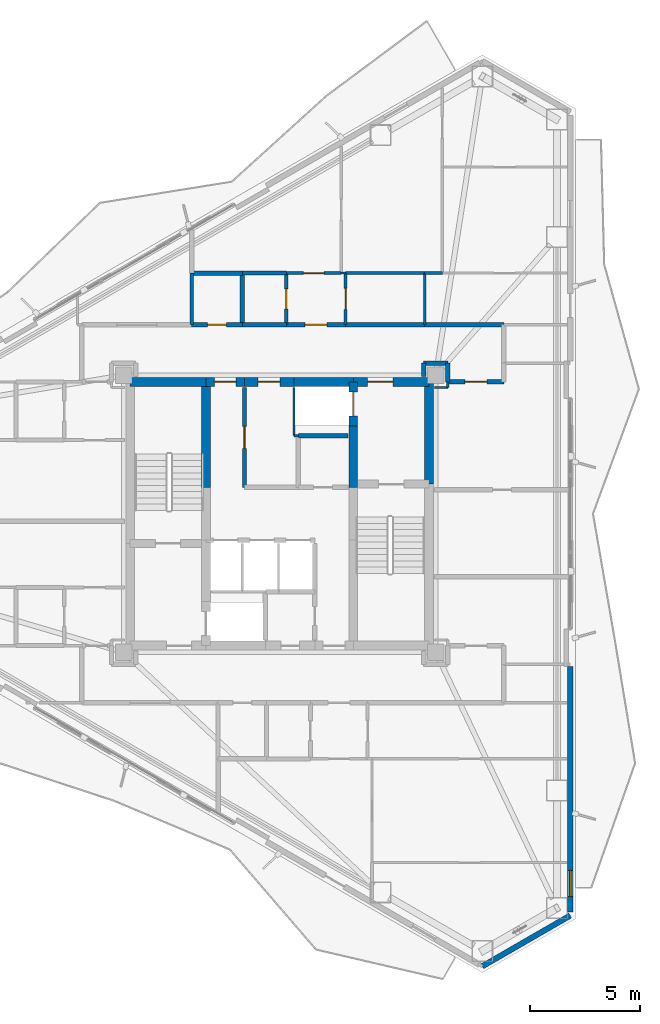
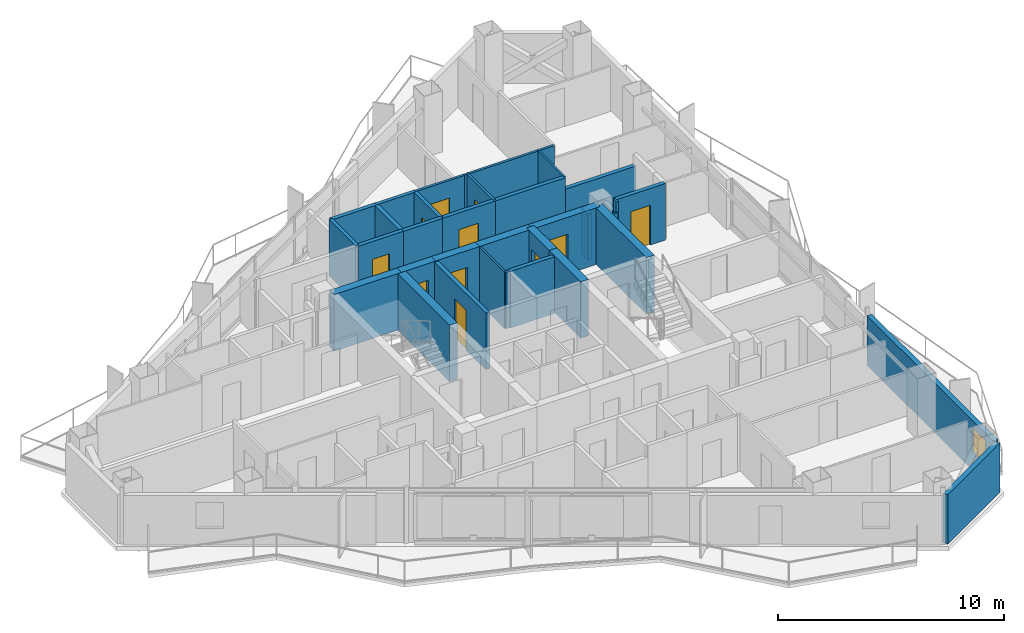
# One storey, part 15 of 19: 37 walls, 11 doors, 1 window, 12 openings.
"""IFC4 building model written with IfcOpenShell, lengths in metres."""

from ifc_helpers import new_model, si_unit, direction, frame, frame_2d, origin, place, context, subcontext, project, spatial, rectangle, extrude, material, layer, layer_set, type_object, element, fill, save


model = new_model("IFC4")

# Units and contexts
model_context = context("Model", 3, precision=1e-05, world=origin(), true_north=direction((0.0, 1.0)))
body_context = subcontext(model_context, "Body", "Model", "MODEL_VIEW")
ifc_project = project(units=[si_unit("LENGTHUNIT", "METRE"), si_unit("AREAUNIT", "SQUARE_METRE"), si_unit("VOLUMEUNIT", "CUBIC_METRE"), si_unit("PLANEANGLEUNIT", "RADIAN"), si_unit("MASSUNIT", "GRAM", prefix="KILO")], contexts=[model_context])

# Site, building, storey
site_placement = place(None, origin())
site = spatial("IfcSite", under=ifc_project, at=site_placement, CompositionType="ELEMENT")
building_placement = place(site_placement, origin())
building = spatial("IfcBuilding", under=site, at=building_placement, Name="Mersakhor Tower and Convention Hall", CompositionType="ELEMENT")
storey_placement = place(building_placement, frame((0.0, 0.0, 124.5)))
storey = spatial("IfcBuildingStorey", under=building, at=storey_placement, Name="L34", CompositionType="ELEMENT", Elevation=124.5)

# Wall
ifc_material_1 = material(Name="Precast concrete C40/50", Category="concrete")
ifc_layer_1 = layer(ifc_material_1, 0.25)
ifc_layer_set_1 = layer_set([ifc_layer_1], Name="Precast concrete C40/50")
wall_type_1 = type_object("IfcWallType", Name="WL-EXT-250", PredefinedType="SOLIDWALL", material=ifc_layer_set_1)
wall_1_placement = place(storey_placement, frame((42.21923828125, 8.470947265625, 0.0), z_axis=(0.0, 0.0, 1.0), x_axis=(-0.866035021055, -0.499983342029, 0.0)))
element("IfcWall", 1, at=wall_1_placement, inside=storey, type_object=wall_type_1, Name="L34 Chamfer Braced Spandrel Wall C2", PredefinedType="SOLIDWALL", context=body_context, shape_type="SweptSolid", body=[
    extrude(rectangle(XDim=4.617431640625, YDim=0.25, at=frame_2d((2.30859375, 0.0))), origin(), (0.0, 0.0, 1.0), 2.679931640625),
])

# Wall, opening, window
wall_2_placement = place(storey_placement, frame((42.21923828125, 19.806884765625, 0.0), z_axis=(0.0, 0.0, 1.0), x_axis=(0.0, -1.0, 0.0)))
wall_2 = element("IfcWall", 2, at=wall_2_placement, inside=storey, type_object=wall_type_1, Name="L34 Exterior Facade Wall F2-B3", PredefinedType="SOLIDWALL", context=body_context, shape_type="SweptSolid", body=[
    extrude(rectangle(XDim=11.185791015625, YDim=0.25, at=frame_2d((5.5927734375, 0.0))), origin(), (0.0, 0.0, 1.0), 2.679931640625),
])
opening_1_placement = place(wall_2_placement, frame((9.277099609375, 0.0, 0.89990234375)))
opening_1 = element("IfcOpeningElement", 3, at=opening_1_placement, cuts=wall_2, Name="Opening W-01", PredefinedType="OPENING", context=body_context, shape_type="SweptSolid", body=[
    extrude(rectangle(XDim=1.199951171875, YDim=1.39990234375, at=frame_2d((0.60009765625, 0.699951171875))), frame((0.0, 0.135009765625, 0.0), z_axis=(0.0, -1.0, 0.0), x_axis=(1.0, 0.0, 0.0)), (0.0, 0.0, 1.0), 0.27001953125),
])
ifc_material_2 = material(Name="Dark solar low-E glazed aluminium window", Category="aluminium")
window_type = type_object("IfcWindowType", Name="WN-RES-120x150", PartitioningType="SINGLE_PANEL", PredefinedType="WINDOW", material=ifc_material_2)
window_placement = place(opening_1_placement, origin())
window = element("IfcWindow", 4, at=window_placement, inside=storey, type_object=window_type, Name="L34 Bedroom Facade Window F2-B3-1", OverallHeight=1.39990234375, OverallWidth=1.199951171875, PartitioningType="SINGLE_PANEL", PredefinedType="WINDOW", context=body_context, shape_type="SweptSolid", body=[
    extrude(rectangle(XDim=1.199951171875, YDim=1.39990234375, at=frame_2d((0.60009765625, 0.699951171875))), frame((0.0, 0.030029296875, 0.0), z_axis=(0.0, -1.0, 0.0), x_axis=(1.0, 0.0, 0.0)), (0.0, 0.0, 1.0), 0.06005859375),
])
fill(opening_1, window)

# Wall, opening, door
ifc_material_3 = material(Name="Moisture-resistant acoustic drywall studwork", Category="other")
ifc_layer_2 = layer(ifc_material_3, 0.175048828125)
ifc_layer_set_2 = layer_set([ifc_layer_2], Name="Moisture-resistant acoustic drywall studwork")
wall_type_2 = type_object("IfcWallType", Name="WL-PLM-175", PredefinedType="PLUMBINGWALL", material=ifc_layer_set_2)
wall_3_placement = place(storey_placement, frame((29.300048828125, 35.35009765625, 0.0), z_axis=(0.0, 0.0, 1.0), x_axis=(0.0, 1.0, 0.0)))
wall_3 = element("IfcWall", 5, at=wall_3_placement, inside=storey, type_object=wall_type_2, Name="L34 Interior Partition Wall P-052", PredefinedType="PLUMBINGWALL", context=body_context, shape_type="SweptSolid", body=[
    extrude(rectangle(XDim=2.349853515625, YDim=0.175048828125, at=frame_2d((1.1748046875, 0.0))), origin(), (0.0, 0.0, 1.0), 3.06005859375),
])
opening_2_placement = place(wall_3_placement, frame((0.72509765625, 0.0, 0.0)))
opening_2 = element("IfcOpeningElement", 6, at=opening_2_placement, cuts=wall_3, Name="Opening WD-01", PredefinedType="OPENING", context=body_context, shape_type="SweptSolid", body=[
    extrude(rectangle(XDim=0.89990234375, YDim=2.10009765625, at=frame_2d((0.449951171875, 1.050048828125))), frame((0.0, 0.097412109375, 0.0), z_axis=(0.0, -1.0, 0.0), x_axis=(1.0, 0.0, 0.0)), (0.0, 0.0, 1.0), 0.195068359375),
])
ifc_material_4 = material(Name="Solid-core hardwood leaf in painted steel frame", Category="steel")
door_type_1 = type_object("IfcDoorType", Name="DR-INT-WET-090x210", OperationType="NOTDEFINED", PredefinedType="DOOR", material=ifc_material_4)
door_1_placement = place(opening_2_placement, origin())
door_1 = element("IfcDoor", 7, at=door_1_placement, inside=storey, type_object=door_type_1, Name="L34 L34 Flat N1 Apartment Hall to L34 Flat N1 Bathroom Door", OperationType="SINGLE_SWING_RIGHT", OverallHeight=2.10009765625, OverallWidth=0.89990234375, PredefinedType="DOOR", context=body_context, shape_type="SweptSolid", body=[
    extrude(rectangle(XDim=0.89990234375, YDim=2.10009765625, at=frame_2d((0.449951171875, 1.050048828125))), frame((0.0, 0.02490234375, 0.0), z_axis=(0.0, -1.0, 0.0), x_axis=(1.0, 0.0, 0.0)), (0.0, 0.0, 1.0), 0.050048828125),
])
fill(opening_2, door_1)

# Walls
wall_4_placement = place(storey_placement, frame((25.0, 35.35009765625, 0.0), z_axis=(0.0, 0.0, 1.0), x_axis=(0.0, 1.0, 0.0)))
element("IfcWall", 8, at=wall_4_placement, inside=storey, type_object=wall_type_2, Name="L34 Interior Partition Wall P-068", PredefinedType="PLUMBINGWALL", context=body_context, shape_type="SweptSolid", body=[
    extrude(rectangle(XDim=2.349853515625, YDim=0.175048828125, at=frame_2d((1.1748046875, 0.0))), origin(), (0.0, 0.0, 1.0), 3.06005859375),
])
wall_5_placement = place(storey_placement, frame((27.300048828125, 37.699951171875, 0.0), z_axis=(0.0, 0.0, 1.0), x_axis=(1.0, 0.0, 0.0)))
element("IfcWall", 9, at=wall_5_placement, inside=storey, type_object=wall_type_2, Name="L34 Interior Partition Wall P-072", PredefinedType="PLUMBINGWALL", context=body_context, shape_type="SweptSolid", body=[
    extrude(rectangle(XDim=2.0, YDim=0.175048828125, at=frame_2d((1.0, 0.0))), origin(), (0.0, 0.0, 1.0), 3.06005859375),
])
ifc_material_5 = material(Name="Lightweight gypsum partition", Category="other")
ifc_layer_3 = layer(ifc_material_5, 0.10009765625)
ifc_layer_set_3 = layer_set([ifc_layer_3], Name="Lightweight gypsum partition")
wall_type_3 = type_object("IfcWallType", Name="WL-PRT-100", PredefinedType="PARTITIONING", material=ifc_layer_set_3)
wall_6_placement = place(storey_placement, frame((29.64990234375, 30.300048828125, 0.0), z_axis=(0.0, 0.0, 1.0), x_axis=(0.0, 1.0, 0.0)))
element("IfcWall", 10, at=wall_6_placement, inside=storey, type_object=wall_type_3, Name="L34 Interior Partition Wall P-006", PredefinedType="PARTITIONING", context=body_context, shape_type="SweptSolid", body=[
    extrude(rectangle(XDim=2.199951171875, YDim=0.10009765625, at=frame_2d((1.10009765625, 0.0))), origin(), (0.0, 0.0, 1.0), 3.06005859375),
])
wall_7_placement = place(storey_placement, frame((31.800048828125, 37.699951171875, 0.0), z_axis=(0.0, 0.0, 1.0), x_axis=(1.0, 0.0, 0.0)))
element("IfcWall", 11, at=wall_7_placement, inside=storey, type_object=wall_type_3, Name="L34 Interior Partition Wall P-050", PredefinedType="PARTITIONING", context=body_context, shape_type="SweptSolid", body=[
    extrude(rectangle(XDim=0.199951171875, YDim=0.10009765625, at=frame_2d((0.10009765625, 0.0))), origin(), (0.0, 0.0, 1.0), 3.06005859375),
])
wall_8_placement = place(storey_placement, frame((35.60009765625, 37.699951171875, 0.0), z_axis=(0.0, 0.0, 1.0), x_axis=(0.0, -1.0, 0.0)))
element("IfcWall", 12, at=wall_8_placement, inside=storey, type_object=wall_type_3, Name="L34 Interior Partition Wall P-074", PredefinedType="PARTITIONING", context=body_context, shape_type="SweptSolid", body=[
    extrude(rectangle(XDim=2.349853515625, YDim=0.10009765625, at=frame_2d((1.1748046875, 0.0))), origin(), (0.0, 0.0, 1.0), 3.06005859375),
])
wall_9_placement = place(storey_placement, frame((36.050048828125, 32.5, 0.0), z_axis=(0.0, 0.0, 1.0), x_axis=(1.0, 0.0, 0.0)))
element("IfcWall", 13, at=wall_9_placement, inside=storey, type_object=wall_type_3, Name="L34 Interior Partition Wall P-098", PredefinedType="PARTITIONING", context=body_context, shape_type="SweptSolid", body=[
    extrude(rectangle(XDim=0.599853515625, YDim=0.10009765625, at=frame_2d((0.2998046875, 0.0))), origin(), (0.0, 0.0, 1.0), 2.50830078125),
])
ifc_material_6 = material(Name="Gypsum board acoustic partition", Category="other")
ifc_layer_4 = layer(ifc_material_6, 0.125)
ifc_layer_set_4 = layer_set([ifc_layer_4], Name="Gypsum board acoustic partition")
wall_type_4 = type_object("IfcWallType", Name="WL-PRT-125", PredefinedType="PARTITIONING", material=ifc_layer_set_4)
wall_10_placement = place(storey_placement, frame((29.85009765625, 30.300048828125, 0.0), z_axis=(0.0, 0.0, 1.0), x_axis=(-1.0, 0.0, 0.0)))
element("IfcWall", 14, at=wall_10_placement, inside=storey, type_object=wall_type_4, Name="L34 Interior Partition Wall P-005", PredefinedType="PARTITIONING", context=body_context, shape_type="SweptSolid", body=[
    extrude(rectangle(XDim=0.2001953125, YDim=0.125, at=frame_2d((0.10009765625, 0.0))), origin(), (0.0, 0.0, 1.0), 3.06005859375),
])

# Wall, opening, door
wall_11_placement = place(storey_placement, frame((29.300048828125, 37.699951171875, 0.0), z_axis=(0.0, 0.0, 1.0), x_axis=(1.0, 0.0, 0.0)))
wall_11 = element("IfcWall", 15, at=wall_11_placement, inside=storey, type_object=wall_type_4, Name="L34 Interior Partition Wall P-049", PredefinedType="PARTITIONING", context=body_context, shape_type="SweptSolid", body=[
    extrude(rectangle(XDim=2.5, YDim=0.125, at=frame_2d((1.25, 0.0))), origin(), (0.0, 0.0, 1.0), 3.06005859375),
])
opening_3_placement = place(wall_11_placement, frame((0.77490234375, 0.0, 0.0)))
opening_3 = element("IfcOpeningElement", 16, at=opening_3_placement, cuts=wall_11, Name="Opening RD-01", PredefinedType="OPENING", context=body_context, shape_type="SweptSolid", body=[
    extrude(rectangle(XDim=0.949951171875, YDim=2.10009765625, at=frame_2d((0.47509765625, 1.050048828125))), frame((0.0, 0.072509765625, 0.0), z_axis=(0.0, -1.0, 0.0), x_axis=(1.0, 0.0, 0.0)), (0.0, 0.0, 1.0), 0.14501953125),
])
ifc_material_7 = material(Name="Solid-core hardwood leaf in painted steel frame", Category="steel")
door_type_2 = type_object("IfcDoorType", Name="DR-INT-RM-095x210", OperationType="NOTDEFINED", PredefinedType="DOOR", material=ifc_material_7)
door_2_placement = place(opening_3_placement, origin())
door_2 = element("IfcDoor", 17, at=door_2_placement, inside=storey, type_object=door_type_2, Name="L34 L34 Flat N1 Apartment Hall to L34 Flat N1 Living and Dining Room Door", OperationType="SINGLE_SWING_RIGHT", OverallHeight=2.10009765625, OverallWidth=0.949951171875, PredefinedType="DOOR", context=body_context, shape_type="SweptSolid", body=[
    extrude(rectangle(XDim=0.949951171875, YDim=2.10009765625, at=frame_2d((0.47509765625, 1.050048828125))), frame((0.0, 0.02490234375, 0.0), z_axis=(0.0, -1.0, 0.0), x_axis=(1.0, 0.0, 0.0)), (0.0, 0.0, 1.0), 0.050048828125),
])
fill(opening_3, door_2)

wall_12_placement = place(storey_placement, frame((32.0, 37.699951171875, 0.0), z_axis=(0.0, 0.0, 1.0), x_axis=(0.0, -1.0, 0.0)))
wall_12 = element("IfcWall", 18, at=wall_12_placement, inside=storey, type_object=wall_type_4, Name="L34 Interior Partition Wall P-051", PredefinedType="PARTITIONING", context=body_context, shape_type="SweptSolid", body=[
    extrude(rectangle(XDim=2.349853515625, YDim=0.125, at=frame_2d((1.1748046875, 0.0))), origin(), (0.0, 0.0, 1.0), 3.06005859375),
])
opening_4_placement = place(wall_12_placement, frame((0.699951171875, 0.0, 0.0)))
opening_4 = element("IfcOpeningElement", 19, at=opening_4_placement, cuts=wall_12, Name="Opening RD-01", PredefinedType="OPENING", context=body_context, shape_type="SweptSolid", body=[
    extrude(rectangle(XDim=0.949951171875, YDim=2.10009765625, at=frame_2d((0.47509765625, 1.050048828125))), frame((0.0, 0.072509765625, 0.0), z_axis=(0.0, -1.0, 0.0), x_axis=(1.0, 0.0, 0.0)), (0.0, 0.0, 1.0), 0.14501953125),
])
door_3_placement = place(opening_4_placement, origin())
door_3 = element("IfcDoor", 20, at=door_3_placement, inside=storey, type_object=door_type_2, Name="L34 L34 Flat N1 Apartment Hall to L34 Flat N1 Kitchen Door", OperationType="SINGLE_SWING_LEFT", OverallHeight=2.10009765625, OverallWidth=0.949951171875, PredefinedType="DOOR", context=body_context, shape_type="SweptSolid", body=[
    extrude(rectangle(XDim=0.949951171875, YDim=2.10009765625, at=frame_2d((0.47509765625, 1.050048828125))), frame((0.0, 0.02490234375, 0.0), z_axis=(0.0, -1.0, 0.0), x_axis=(1.0, 0.0, 0.0)), (0.0, 0.0, 1.0), 0.050048828125),
])
fill(opening_4, door_3)

# Walls
wall_13_placement = place(storey_placement, frame((32.0, 37.699951171875, 0.0), z_axis=(0.0, 0.0, 1.0), x_axis=(1.0, 0.0, 0.0)))
element("IfcWall", 21, at=wall_13_placement, inside=storey, type_object=wall_type_4, Name="L34 Interior Partition Wall P-073", PredefinedType="PARTITIONING", context=body_context, shape_type="SweptSolid", body=[
    extrude(rectangle(XDim=3.60009765625, YDim=0.125, at=frame_2d((1.800048828125, 0.0))), origin(), (0.0, 0.0, 1.0), 3.06005859375),
])
wall_14_placement = place(storey_placement, frame((36.64990234375, 32.5, 0.0), z_axis=(0.0, 0.0, 1.0), x_axis=(0.0, 1.0, 0.0)))
element("IfcWall", 22, at=wall_14_placement, inside=storey, type_object=wall_type_4, Name="L34 Interior Partition Wall P-099", PredefinedType="PARTITIONING", context=body_context, shape_type="SweptSolid", body=[
    extrude(rectangle(XDim=0.25, YDim=0.125, at=frame_2d((0.125, 0.0))), origin(), (0.0, 0.0, 1.0), 3.06005859375),
])
wall_15_placement = place(storey_placement, frame((35.60009765625, 37.699951171875, 0.0), z_axis=(0.0, 0.0, 1.0), x_axis=(1.0, 0.0, 0.0)))
element("IfcWall", 23, at=wall_15_placement, inside=storey, type_object=wall_type_4, Name="L34 Interior Partition Wall P-109", PredefinedType="PARTITIONING", context=body_context, shape_type="SweptSolid", body=[
    extrude(rectangle(XDim=0.7998046875, YDim=0.125, at=frame_2d((0.39990234375, 0.0))), origin(), (0.0, 0.0, 1.0), 3.06005859375),
])
ifc_material_8 = material(Name="Acoustic concrete blockwork and gypsum board", Category="masonry")
ifc_layer_5 = layer(ifc_material_8, 0.199951171875)
ifc_layer_set_5 = layer_set([ifc_layer_5], Name="Acoustic concrete blockwork and gypsum board")
wall_type_5 = type_object("IfcWallType", Name="WL-PRT-200", PredefinedType="PARTITIONING", material=ifc_layer_set_5)
wall_16_placement = place(storey_placement, frame((32.10009765625, 30.300048828125, 0.0), z_axis=(0.0, 0.0, 1.0), x_axis=(-1.0, 0.0, 0.0)))
element("IfcWall", 24, at=wall_16_placement, inside=storey, type_object=wall_type_5, Name="L34 Interior Partition Wall P-004", PredefinedType="PARTITIONING", context=body_context, shape_type="SweptSolid", body=[
    extrude(rectangle(XDim=2.25, YDim=0.199951171875, at=frame_2d((1.125, 0.0))), origin(), (0.0, 0.0, 1.0), 3.06005859375),
])

# Wall, opening, door
wall_17_placement = place(storey_placement, frame((27.39990234375, 32.5, 0.0), z_axis=(0.0, 0.0, 1.0), x_axis=(0.0, -1.0, 0.0)))
wall_17 = element("IfcWall", 25, at=wall_17_placement, inside=storey, type_object=wall_type_5, Name="L34 Interior Partition Wall P-013", PredefinedType="PARTITIONING", context=body_context, shape_type="SweptSolid", body=[
    extrude(rectangle(XDim=4.550048828125, YDim=0.199951171875, at=frame_2d((2.27490234375, 0.0))), origin(), (0.0, 0.0, 1.0), 3.06005859375),
])
opening_5_placement = place(wall_17_placement, frame((1.77490234375, 0.0, 0.0)))
opening_5 = element("IfcOpeningElement", 26, at=opening_5_placement, cuts=wall_17, Name="Opening FD-01", PredefinedType="OPENING", context=body_context, shape_type="SweptSolid", body=[
    extrude(rectangle(XDim=1.0, YDim=2.14990234375, at=frame_2d((0.5, 1.074951171875))), frame((0.0, 0.10986328125, 0.0), z_axis=(0.0, -1.0, 0.0), x_axis=(1.0, 0.0, 0.0)), (0.0, 0.0, 1.0), 0.219970703125),
])
ifc_material_9 = material(Name="Fire-rated hardwood leaf and painted steel frame", Category="steel")
door_type_3 = type_object("IfcDoorType", Name="DR-INT-FLT-100x215", OperationType="NOTDEFINED", PredefinedType="DOOR", material=ifc_material_9)
door_4_placement = place(opening_5_placement, origin())
door_4 = element("IfcDoor", 27, at=door_4_placement, inside=storey, type_object=door_type_3, Name="L34 Central Passenger Lift Lobby to Communal Resident Laundry Room Door", OperationType="SINGLE_SWING_LEFT", OverallHeight=2.14990234375, OverallWidth=1.0, PredefinedType="DOOR", context=body_context, shape_type="SweptSolid", body=[
    extrude(rectangle(XDim=1.0, YDim=2.14990234375, at=frame_2d((0.5, 1.074951171875))), frame((0.0, 0.02490234375, 0.0), z_axis=(0.0, -1.0, 0.0), x_axis=(1.0, 0.0, 0.0)), (0.0, 0.0, 1.0), 0.050048828125),
])
fill(opening_5, door_4)

# Wall
wall_18_placement = place(storey_placement, frame((35.550048828125, 33.60009765625, 0.0), z_axis=(0.0, 0.0, 1.0), x_axis=(0.0, -1.0, 0.0)))
element("IfcWall", 28, at=wall_18_placement, inside=storey, type_object=wall_type_5, Name="L34 Interior Partition Wall P-016", PredefinedType="PARTITIONING", context=body_context, shape_type="SweptSolid", body=[
    extrude(rectangle(XDim=0.60009765625, YDim=0.199951171875, at=frame_2d((0.300048828125, 0.0))), origin(), (0.0, 0.0, 1.0), 2.50830078125),
])

# Wall, opening, door
wall_19_placement = place(storey_placement, frame((25.0, 35.35009765625, 0.0), z_axis=(0.0, 0.0, 1.0), x_axis=(1.0, 0.0, 0.0)))
wall_19 = element("IfcWall", 29, at=wall_19_placement, inside=storey, type_object=wall_type_5, Name="L34 Interior Partition Wall P-023", PredefinedType="PARTITIONING", context=body_context, shape_type="SweptSolid", body=[
    extrude(rectangle(XDim=2.300048828125, YDim=0.199951171875, at=frame_2d((1.14990234375, 0.0))), origin(), (0.0, 0.0, 1.0), 3.06005859375),
])
opening_6_placement = place(wall_19_placement, frame((0.72509765625, 0.0, 0.0)))
opening_6 = element("IfcOpeningElement", 30, at=opening_6_placement, cuts=wall_19, Name="Opening SVD-01", PredefinedType="OPENING", context=body_context, shape_type="SweptSolid", body=[
    extrude(rectangle(XDim=0.85009765625, YDim=2.10009765625, at=frame_2d((0.425048828125, 1.050048828125))), frame((0.0, 0.10986328125, 0.0), z_axis=(0.0, -1.0, 0.0), x_axis=(1.0, 0.0, 0.0)), (0.0, 0.0, 1.0), 0.219970703125),
])
ifc_material_10 = material(Name="Fire-rated hardwood leaf and painted steel frame", Category="steel")
door_type_4 = type_object("IfcDoorType", Name="DR-INT-SVC-085x210", OperationType="NOTDEFINED", PredefinedType="DOOR", material=ifc_material_10)
door_5_placement = place(opening_6_placement, origin())
door_5 = element("IfcDoor", 31, at=door_5_placement, inside=storey, type_object=door_type_4, Name="L34 Residential North Gallery Corridor to L34 North Floor Accessible Toilet WC Door", OperationType="SINGLE_SWING_RIGHT", OverallHeight=2.10009765625, OverallWidth=0.85009765625, PredefinedType="DOOR", context=body_context, shape_type="SweptSolid", body=[
    extrude(rectangle(XDim=0.85009765625, YDim=2.10009765625, at=frame_2d((0.425048828125, 1.050048828125))), frame((0.0, 0.02490234375, 0.0), z_axis=(0.0, -1.0, 0.0), x_axis=(1.0, 0.0, 0.0)), (0.0, 0.0, 1.0), 0.050048828125),
])
fill(opening_6, door_5)

# Wall
wall_20_placement = place(storey_placement, frame((27.300048828125, 35.35009765625, 0.0), z_axis=(0.0, 0.0, 1.0), x_axis=(1.0, 0.0, 0.0)))
element("IfcWall", 32, at=wall_20_placement, inside=storey, type_object=wall_type_5, Name="L34 Interior Partition Wall P-024", PredefinedType="PARTITIONING", context=body_context, shape_type="SweptSolid", body=[
    extrude(rectangle(XDim=2.0, YDim=0.199951171875, at=frame_2d((1.0, 0.0))), origin(), (0.0, 0.0, 1.0), 3.06005859375),
])

# Wall, opening, door
wall_21_placement = place(storey_placement, frame((29.300048828125, 35.35009765625, 0.0), z_axis=(0.0, 0.0, 1.0), x_axis=(1.0, 0.0, 0.0)))
wall_21 = element("IfcWall", 33, at=wall_21_placement, inside=storey, type_object=wall_type_5, Name="L34 Interior Partition Wall P-025", PredefinedType="PARTITIONING", context=body_context, shape_type="SweptSolid", body=[
    extrude(rectangle(XDim=2.699951171875, YDim=0.199951171875, at=frame_2d((1.35009765625, 0.0))), origin(), (0.0, 0.0, 1.0), 3.06005859375),
])
opening_7_placement = place(wall_21_placement, frame((0.85009765625, 0.0, 0.0)))
opening_7 = element("IfcOpeningElement", 34, at=opening_7_placement, cuts=wall_21, Name="Opening FD-01", PredefinedType="OPENING", context=body_context, shape_type="SweptSolid", body=[
    extrude(rectangle(XDim=1.0, YDim=2.14990234375, at=frame_2d((0.5, 1.074951171875))), frame((0.0, 0.10986328125, 0.0), z_axis=(0.0, -1.0, 0.0), x_axis=(1.0, 0.0, 0.0)), (0.0, 0.0, 1.0), 0.219970703125),
])
door_6_placement = place(opening_7_placement, origin())
door_6 = element("IfcDoor", 35, at=door_6_placement, inside=storey, type_object=door_type_3, Name="L34 Apartment Entrance Door (Residential North Gallery Corridor to L34 Flat N1 Apartment Hall)", OperationType="SINGLE_SWING_RIGHT", OverallHeight=2.14990234375, OverallWidth=1.0, PredefinedType="DOOR", context=body_context, shape_type="SweptSolid", body=[
    extrude(rectangle(XDim=1.0, YDim=2.14990234375, at=frame_2d((0.5, 1.074951171875))), frame((0.0, 0.02490234375, 0.0), z_axis=(0.0, -1.0, 0.0), x_axis=(1.0, 0.0, 0.0)), (0.0, 0.0, 1.0), 0.050048828125),
])
fill(opening_7, door_6)

# Walls
wall_22_placement = place(storey_placement, frame((32.0, 35.35009765625, 0.0), z_axis=(0.0, 0.0, 1.0), x_axis=(1.0, 0.0, 0.0)))
element("IfcWall", 36, at=wall_22_placement, inside=storey, type_object=wall_type_5, Name="L34 Interior Partition Wall P-026", PredefinedType="PARTITIONING", context=body_context, shape_type="SweptSolid", body=[
    extrude(rectangle(XDim=3.60009765625, YDim=0.199951171875, at=frame_2d((1.800048828125, 0.0))), origin(), (0.0, 0.0, 1.0), 3.06005859375),
])
wall_23_placement = place(storey_placement, frame((35.60009765625, 35.35009765625, 0.0), z_axis=(0.0, 0.0, 1.0), x_axis=(1.0, 0.0, 0.0)))
element("IfcWall", 37, at=wall_23_placement, inside=storey, type_object=wall_type_5, Name="L34 Interior Partition Wall P-027", PredefinedType="PARTITIONING", context=body_context, shape_type="SweptSolid", body=[
    extrude(rectangle(XDim=3.599853515625, YDim=0.199951171875, at=frame_2d((1.7998046875, 0.0))), origin(), (0.0, 0.0, 1.0), 2.432861328125),
])

# Wall, opening, door
wall_24_placement = place(storey_placement, frame((39.199951171875, 32.75, 0.0), z_axis=(0.0, 0.0, 1.0), x_axis=(-1.0, 0.0, 0.0)))
wall_24 = element("IfcWall", 38, at=wall_24_placement, inside=storey, type_object=wall_type_5, Name="L34 Interior Partition Wall P-030", PredefinedType="PARTITIONING", context=body_context, shape_type="SweptSolid", body=[
    extrude(rectangle(XDim=2.550048828125, YDim=0.199951171875, at=frame_2d((1.27490234375, 0.0))), origin(), (0.0, 0.0, 1.0), 3.06005859375),
])
opening_8_placement = place(wall_24_placement, frame((0.77490234375, 0.0, 0.0)))
opening_8 = element("IfcOpeningElement", 39, at=opening_8_placement, cuts=wall_24, Name="Opening FD-01", PredefinedType="OPENING", context=body_context, shape_type="SweptSolid", body=[
    extrude(rectangle(XDim=1.0, YDim=2.14990234375, at=frame_2d((0.5, 1.074951171875))), frame((0.0, 0.10986328125, 0.0), z_axis=(0.0, -1.0, 0.0), x_axis=(1.0, 0.0, 0.0)), (0.0, 0.0, 1.0), 0.219970703125),
])
door_7_placement = place(opening_8_placement, origin())
door_7 = element("IfcDoor", 40, at=door_7_placement, inside=storey, type_object=door_type_3, Name="L34 Residential North Gallery Corridor to L34 East Wing Quiet Focus Room Door", OperationType="SINGLE_SWING_LEFT", OverallHeight=2.14990234375, OverallWidth=1.0, PredefinedType="DOOR", context=body_context, shape_type="SweptSolid", body=[
    extrude(rectangle(XDim=1.0, YDim=2.14990234375, at=frame_2d((0.5, 1.074951171875))), frame((0.0, 0.02490234375, 0.0), z_axis=(0.0, -1.0, 0.0), x_axis=(1.0, 0.0, 0.0)), (0.0, 0.0, 1.0), 0.050048828125),
])
fill(opening_8, door_7)

# Walls
wall_25_placement = place(storey_placement, frame((36.64990234375, 32.75, 0.0), z_axis=(0.0, 0.0, 1.0), x_axis=(0.0, 1.0, 0.0)))
element("IfcWall", 41, at=wall_25_placement, inside=storey, type_object=wall_type_5, Name="L34 Interior Partition Wall P-031", PredefinedType="PARTITIONING", context=body_context, shape_type="SweptSolid", body=[
    extrude(rectangle(XDim=0.85009765625, YDim=0.199951171875, at=frame_2d((0.425048828125, 0.0))), origin(), (0.0, 0.0, 1.0), 2.432861328125),
])
wall_26_placement = place(storey_placement, frame((36.64990234375, 33.60009765625, 0.0), z_axis=(0.0, 0.0, 1.0), x_axis=(-1.0, 0.0, 0.0)))
element("IfcWall", 42, at=wall_26_placement, inside=storey, type_object=wall_type_5, Name="L34 Interior Partition Wall P-032", PredefinedType="PARTITIONING", context=body_context, shape_type="SweptSolid", body=[
    extrude(rectangle(XDim=1.099853515625, YDim=0.199951171875, at=frame_2d((0.5498046875, 0.0))), origin(), (0.0, 0.0, 1.0), 2.432861328125),
])
wall_27_placement = place(storey_placement, frame((25.0, 37.699951171875, 0.0), z_axis=(0.0, 0.0, 1.0), x_axis=(1.0, 0.0, 0.0)))
element("IfcWall", 43, at=wall_27_placement, inside=storey, type_object=wall_type_5, Name="L34 Interior Partition Wall P-066", PredefinedType="PARTITIONING", context=body_context, shape_type="SweptSolid", body=[
    extrude(rectangle(XDim=2.300048828125, YDim=0.199951171875, at=frame_2d((1.14990234375, 0.0))), origin(), (0.0, 0.0, 1.0), 3.06005859375),
])
wall_28_placement = place(storey_placement, frame((27.300048828125, 37.699951171875, 0.0), z_axis=(0.0, 0.0, 1.0), x_axis=(0.0, -1.0, 0.0)))
element("IfcWall", 44, at=wall_28_placement, inside=storey, type_object=wall_type_5, Name="L34 Interior Partition Wall P-067", PredefinedType="PARTITIONING", context=body_context, shape_type="SweptSolid", body=[
    extrude(rectangle(XDim=2.349853515625, YDim=0.199951171875, at=frame_2d((1.1748046875, 0.0))), origin(), (0.0, 0.0, 1.0), 3.06005859375),
])
ifc_material_11 = material(Name="Concrete C60/75", Category="concrete")
ifc_layer_6 = layer(ifc_material_11, 0.39990234375)
ifc_layer_set_6 = layer_set([ifc_layer_6], Name="Concrete C60/75")
wall_type_6 = type_object("IfcWallType", Name="WL-SHR-400", PredefinedType="SHEAR", material=ifc_layer_set_6)
wall_29_placement = place(storey_placement, frame((22.199951171875, 32.75, 0.0), z_axis=(0.0, 0.0, 1.0), x_axis=(1.0, 0.0, 0.0)))
element("IfcWall", 45, at=wall_29_placement, inside=storey, type_object=wall_type_6, Name="L34 Core Wall CW-N1", PredefinedType="SHEAR", context=body_context, shape_type="SweptSolid", body=[
    extrude(rectangle(XDim=3.449951171875, YDim=0.39990234375, at=frame_2d((1.72509765625, 0.0))), origin(), (0.0, 0.0, 1.0), 3.06005859375),
])

# Wall, opening, door
wall_30_placement = place(storey_placement, frame((25.64990234375, 32.75, 0.0), z_axis=(0.0, 0.0, 1.0), x_axis=(1.0, 0.0, 0.0)))
wall_30 = element("IfcWall", 46, at=wall_30_placement, inside=storey, type_object=wall_type_6, Name="L34 Core Wall CW-N2A", PredefinedType="SHEAR", context=body_context, shape_type="SweptSolid", body=[
    extrude(rectangle(XDim=1.75, YDim=0.39990234375, at=frame_2d((0.875, 0.0))), origin(), (0.0, 0.0, 1.0), 3.06005859375),
])
opening_9_placement = place(wall_30_placement, frame((0.375, 0.0, 0.0)))
opening_9 = element("IfcOpeningElement", 47, at=opening_9_placement, cuts=wall_30, Name="Opening CFD-01", PredefinedType="OPENING", context=body_context, shape_type="SweptSolid", body=[
    extrude(rectangle(XDim=1.0, YDim=2.14990234375, at=frame_2d((0.5, 1.074951171875))), frame((0.0, 0.2099609375, 0.0), z_axis=(0.0, -1.0, 0.0), x_axis=(1.0, 0.0, 0.0)), (0.0, 0.0, 1.0), 0.419921875),
])
ifc_material_12 = material(Name="Fire-rated hardwood leaf and painted steel frame", Category="steel")
door_type_5 = type_object("IfcDoorType", Name="DR-CORE-FD-100x215", OperationType="NOTDEFINED", PredefinedType="DOOR", material=ifc_material_12)
door_8_placement = place(opening_9_placement, origin())
door_8 = element("IfcDoor", 48, at=door_8_placement, inside=storey, type_object=door_type_5, Name="L34 Lift Lobby North Corridor Door", OperationType="SINGLE_SWING_LEFT", OverallHeight=2.14990234375, OverallWidth=1.0, PredefinedType="DOOR", context=body_context, shape_type="SweptSolid", body=[
    extrude(rectangle(XDim=1.0, YDim=2.14990234375, at=frame_2d((0.5, 1.074951171875))), frame((0.0, 0.02490234375, 0.0), z_axis=(0.0, -1.0, 0.0), x_axis=(1.0, 0.0, 0.0)), (0.0, 0.0, 1.0), 0.050048828125),
])
fill(opening_9, door_8)

wall_31_placement = place(storey_placement, frame((27.39990234375, 32.75, 0.0), z_axis=(0.0, 0.0, 1.0), x_axis=(1.0, 0.0, 0.0)))
wall_31 = element("IfcWall", 49, at=wall_31_placement, inside=storey, type_object=wall_type_6, Name="L34 Core Wall CW-N2B", PredefinedType="SHEAR", context=body_context, shape_type="SweptSolid", body=[
    extrude(rectangle(XDim=2.25, YDim=0.39990234375, at=frame_2d((1.125, 0.0))), origin(), (0.0, 0.0, 1.0), 3.06005859375),
])
opening_10_placement = place(wall_31_placement, frame((0.625, 0.0, 0.0)))
opening_10 = element("IfcOpeningElement", 50, at=opening_10_placement, cuts=wall_31, Name="Opening FD-01", PredefinedType="OPENING", context=body_context, shape_type="SweptSolid", body=[
    extrude(rectangle(XDim=1.0, YDim=2.14990234375, at=frame_2d((0.5, 1.074951171875))), frame((0.0, 0.2099609375, 0.0), z_axis=(0.0, -1.0, 0.0), x_axis=(1.0, 0.0, 0.0)), (0.0, 0.0, 1.0), 0.419921875),
])
door_9_placement = place(opening_10_placement, origin())
door_9 = element("IfcDoor", 51, at=door_9_placement, inside=storey, type_object=door_type_3, Name="L34 Residential North Gallery Corridor to Communal Resident Laundry Room Door", OperationType="SINGLE_SWING_LEFT", OverallHeight=2.14990234375, OverallWidth=1.0, PredefinedType="DOOR", context=body_context, shape_type="SweptSolid", body=[
    extrude(rectangle(XDim=1.0, YDim=2.14990234375, at=frame_2d((0.5, 1.074951171875))), frame((0.0, 0.02490234375, 0.0), z_axis=(0.0, -1.0, 0.0), x_axis=(1.0, 0.0, 0.0)), (0.0, 0.0, 1.0), 0.050048828125),
])
fill(opening_10, door_9)

# Wall
wall_32_placement = place(storey_placement, frame((29.64990234375, 32.75, 0.0), z_axis=(0.0, 0.0, 1.0), x_axis=(1.0, 0.0, 0.0)))
element("IfcWall", 52, at=wall_32_placement, inside=storey, type_object=wall_type_6, Name="L34 Core Wall CW-N3", PredefinedType="SHEAR", context=body_context, shape_type="SweptSolid", body=[
    extrude(rectangle(XDim=2.7001953125, YDim=0.39990234375, at=frame_2d((1.35009765625, 0.0))), origin(), (0.0, 0.0, 1.0), 3.06005859375),
])

# Wall, opening, door
wall_33_placement = place(storey_placement, frame((32.35009765625, 32.75, 0.0), z_axis=(0.0, 0.0, 1.0), x_axis=(1.0, 0.0, 0.0)))
wall_33 = element("IfcWall", 53, at=wall_33_placement, inside=storey, type_object=wall_type_6, Name="L34 Core Wall CW-N4", PredefinedType="SHEAR", context=body_context, shape_type="SweptSolid", body=[
    extrude(rectangle(XDim=3.449951171875, YDim=0.39990234375, at=frame_2d((1.72509765625, 0.0))), origin(), (0.0, 0.0, 1.0), 3.06005859375),
])
opening_11_placement = place(wall_33_placement, frame((0.64990234375, 0.0, 0.0)))
opening_11 = element("IfcOpeningElement", 54, at=opening_11_placement, cuts=wall_33, Name="Opening SD-01", PredefinedType="OPENING", context=body_context, shape_type="SweptSolid", body=[
    extrude(rectangle(XDim=1.14990234375, YDim=2.14990234375, at=frame_2d((0.574951171875, 1.074951171875))), frame((0.0, 0.2099609375, 0.0), z_axis=(0.0, -1.0, 0.0), x_axis=(1.0, 0.0, 0.0)), (0.0, 0.0, 1.0), 0.419921875),
])
ifc_material_13 = material(Name="Fire-rated hardwood leaf and painted steel frame", Category="steel")
door_type_6 = type_object("IfcDoorType", Name="DR-INT-STAIR-115x215", OperationType="NOTDEFINED", PredefinedType="DOOR", material=ifc_material_13)
door_10_placement = place(opening_11_placement, origin())
door_10 = element("IfcDoor", 55, at=door_10_placement, inside=storey, type_object=door_type_6, Name="L34 Firefighting Lobby East Fire Door", OperationType="SINGLE_SWING_RIGHT", OverallHeight=2.14990234375, OverallWidth=1.14990234375, PredefinedType="DOOR", context=body_context, shape_type="SweptSolid", body=[
    extrude(rectangle(XDim=1.14990234375, YDim=2.14990234375, at=frame_2d((0.574951171875, 1.074951171875))), frame((0.0, 0.02490234375, 0.0), z_axis=(0.0, -1.0, 0.0), x_axis=(1.0, 0.0, 0.0)), (0.0, 0.0, 1.0), 0.050048828125),
])
fill(opening_11, door_10)

# Walls
wall_34_placement = place(storey_placement, frame((35.800048828125, 32.75, 0.0), z_axis=(0.0, 0.0, 1.0), x_axis=(0.0, -1.0, 0.0)))
element("IfcWall", 56, at=wall_34_placement, inside=storey, type_object=wall_type_6, Name="L34 Core Wall CW-E1", PredefinedType="SHEAR", context=body_context, shape_type="SweptSolid", body=[
    extrude(rectangle(XDim=4.64990234375, YDim=0.39990234375, at=frame_2d((2.324951171875, 0.0))), origin(), (0.0, 0.0, 1.0), 3.06005859375),
])
wall_35_placement = place(storey_placement, frame((25.64990234375, 27.949951171875, 0.0), z_axis=(0.0, 0.0, 1.0), x_axis=(0.0, 1.0, 0.0)))
element("IfcWall", 57, at=wall_35_placement, inside=storey, type_object=wall_type_6, Name="L34 Core Wall CS-W-ST1", PredefinedType="SHEAR", context=body_context, shape_type="SweptSolid", body=[
    extrude(rectangle(XDim=4.800048828125, YDim=0.39990234375, at=frame_2d((2.39990234375, 0.0))), origin(), (0.0, 0.0, 1.0), 3.06005859375),
])
wall_36_placement = place(storey_placement, frame((32.35009765625, 27.949951171875, 0.0), z_axis=(0.0, 0.0, 1.0), x_axis=(0.0, 1.0, 0.0)))
element("IfcWall", 58, at=wall_36_placement, inside=storey, type_object=wall_type_6, Name="L34 Core Wall CS-E-MID", PredefinedType="SHEAR", context=body_context, shape_type="SweptSolid", body=[
    extrude(rectangle(XDim=2.800048828125, YDim=0.39990234375, at=frame_2d((1.39990234375, 0.0))), origin(), (0.0, 0.0, 1.0), 3.06005859375),
])

# Wall, opening, door
wall_37_placement = place(storey_placement, frame((32.35009765625, 30.75, 0.0), z_axis=(0.0, 0.0, 1.0), x_axis=(0.0, 1.0, 0.0)))
wall_37 = element("IfcWall", 59, at=wall_37_placement, inside=storey, type_object=wall_type_6, Name="L34 Core Wall CS-E-FFL", PredefinedType="SHEAR", context=body_context, shape_type="SweptSolid", body=[
    extrude(rectangle(XDim=2.0, YDim=0.39990234375, at=frame_2d((1.0, 0.0))), origin(), (0.0, 0.0, 1.0), 3.06005859375),
])
opening_12_placement = place(wall_37_placement, frame((0.449951171875, 0.0, 0.0)))
opening_12 = element("IfcOpeningElement", 60, at=opening_12_placement, cuts=wall_37, Name="Opening LD-FFL2", PredefinedType="OPENING", context=body_context, shape_type="SweptSolid", body=[
    extrude(rectangle(XDim=1.10009765625, YDim=2.14990234375, at=frame_2d((0.550048828125, 1.074951171875))), frame((0.0, 0.2099609375, 0.0), z_axis=(0.0, -1.0, 0.0), x_axis=(1.0, 0.0, 0.0)), (0.0, 0.0, 1.0), 0.419921875),
])
ifc_material_14 = material(Name="Fire-rated brushed stainless steel sliding landing door", Category="steel")
door_type_7 = type_object("IfcDoorType", Name="DR-LIFT-SLD-110x215", OperationType="NOTDEFINED", PredefinedType="DOOR", material=ifc_material_14)
door_11_placement = place(opening_12_placement, origin())
door_11 = element("IfcDoor", 61, at=door_11_placement, inside=storey, type_object=door_type_7, Name="L34 Firefighting Lift Landing Door LD-FFL2", OperationType="SLIDING_TO_LEFT", OverallHeight=2.14990234375, OverallWidth=1.10009765625, PredefinedType="DOOR", context=body_context, shape_type="SweptSolid", body=[
    extrude(rectangle(XDim=1.10009765625, YDim=2.14990234375, at=frame_2d((0.550048828125, 1.074951171875))), frame((0.0, 0.02490234375, 0.0), z_axis=(0.0, -1.0, 0.0), x_axis=(1.0, 0.0, 0.0)), (0.0, 0.0, 1.0), 0.050048828125),
])
fill(opening_12, door_11)

save(model, "model.ifc")
